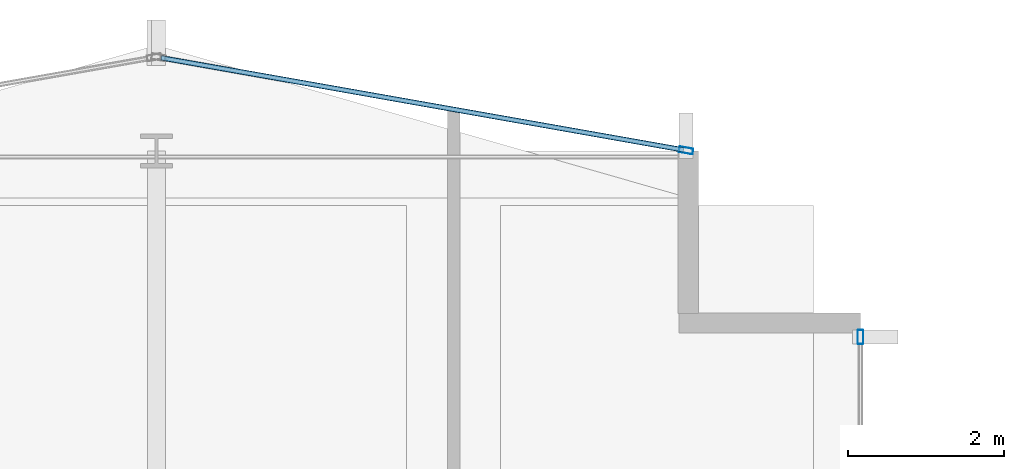
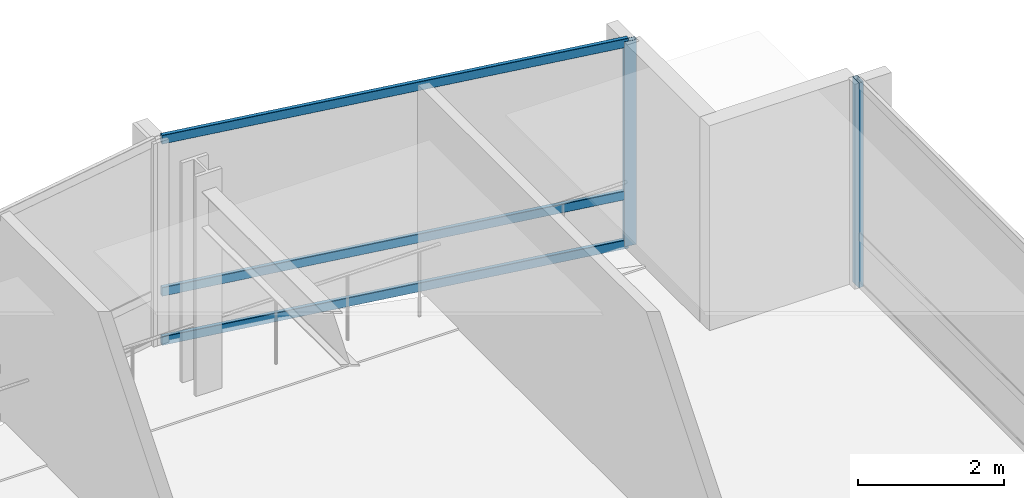
# One storey, part 20 of 29: 5 members, 2 elements without a shape of their own.
"""IFC4 building model written with IfcOpenShell, lengths in metres."""

from ifc_helpers import new_model, si_unit, direction, frame, origin, origin_2d, place, context, subcontext, project, spatial, hollow_rectangle, extrude, material, layer, layer_set, material_profile, profile_set, type_object, element, aggregate, save


model = new_model("IFC4")

# Units and contexts
model_context = context("Model", 3, precision=1e-05, world=origin(), true_north=direction((0.0, 1.0)))
body_context = subcontext(model_context, "Body", "Model", "MODEL_VIEW")
ifc_project = project(units=[si_unit("LENGTHUNIT", "METRE"), si_unit("AREAUNIT", "SQUARE_METRE"), si_unit("VOLUMEUNIT", "CUBIC_METRE"), si_unit("PLANEANGLEUNIT", "RADIAN"), si_unit("MASSUNIT", "GRAM", prefix="KILO")], contexts=[model_context])

# Site, building, storey
site_placement = place(None, origin())
site = spatial("IfcSite", under=ifc_project, at=site_placement, CompositionType="ELEMENT")
building_placement = place(site_placement, origin())
building = spatial("IfcBuilding", under=site, at=building_placement, Name="Solvaryn Broadcast Tower", CompositionType="ELEMENT")
storey_placement = place(building_placement, frame((0.0, 0.0, 161.800048828125)))
storey = spatial("IfcBuildingStorey", under=building, at=storey_placement, Name="L40", CompositionType="ELEMENT", Elevation=161.800048828125)

# Curtain wall, member
ifc_material_1 = material(Name="Aluminium and Terracotta Unitised Curtain Wall", Category="masonry")
ifc_layer = layer(ifc_material_1, 0.199951171875)
ifc_layer_set = layer_set([ifc_layer], Name="CW-SYS2-LOWMID")
curtain_wall_type = type_object("IfcCurtainWallType", Name="CW-SYS2-LOWMID", PredefinedType="NOTDEFINED", material=ifc_layer_set)
curtain_wall_1_placement = place(storey_placement, origin())
curtain_wall_1 = element("IfcCurtainWall", 1, at=curtain_wall_1_placement, inside=storey, type_object=curtain_wall_type, Name="L40 Curtain Wall IV", PredefinedType="NOTDEFINED")
ifc_material_2 = material(Name="Anodised Aluminium 6063-T6", Category="aluminium")
ifc_material_profile_1 = material_profile(ifc_material_2, hollow_rectangle(XDim=0.074951171875, YDim=0.179931640625, WallThickness=0.00390625, InnerFilletRadius=0.00390625, OuterFilletRadius=0.008056640625, at=origin_2d()))
ifc_profile_set_1 = profile_set([ifc_material_profile_1], Name="Anodised Aluminium 6063-T6")
member_type_1 = type_object("IfcMemberType", Name="CW-MUL-180", PredefinedType="MULLION", material=ifc_profile_set_1)
member_1_placement = place(storey_placement, frame((27.0, 51.6201171875, 0.0), z_axis=(0.0, 0.0, 1.0), x_axis=(1.0, 0.0, 0.0)))
member_1 = element("IfcMember", 2, at=member_1_placement, type_object=member_type_1, Name="CWS2 mullion 1", PredefinedType="MULLION", context=body_context, shape_type="SweptSolid", body=[
    extrude(hollow_rectangle(XDim=0.074951171875, YDim=0.179931640625, WallThickness=0.00390625, InnerFilletRadius=0.00390625, OuterFilletRadius=0.008056640625, at=origin_2d()), origin(), (0.0, 0.0, 1.0), 3.419921875),
])
aggregate(curtain_wall_1, [member_1])

# Curtain wall, members
curtain_wall_2_placement = place(storey_placement, origin())
curtain_wall_2 = element("IfcCurtainWall", 3, at=curtain_wall_2_placement, inside=storey, type_object=curtain_wall_type, Name="L40 Curtain Wall NT1", PredefinedType="NOTDEFINED")
member_2_placement = place(storey_placement, frame((24.7705078125, 54.005126953125, 0.0), z_axis=(0.0, 0.0, 1.0), x_axis=(-0.173785333901, -0.984783558819, 0.0)))
member_2 = element("IfcMember", 4, at=member_2_placement, type_object=member_type_1, Name="CWS2 mullion 1", PredefinedType="MULLION", context=body_context, shape_type="SweptSolid", body=[
    extrude(hollow_rectangle(XDim=0.074951171875, YDim=0.179931640625, WallThickness=0.00390625, InnerFilletRadius=0.00390625, OuterFilletRadius=0.008056640625, at=origin_2d()), origin(), (0.0, 0.0, 1.0), 3.419921875),
])
ifc_material_3 = material(Name="Anodised Aluminium 6063-T6", Category="aluminium")
ifc_material_profile_2 = material_profile(ifc_material_3, hollow_rectangle(XDim=0.06494140625, YDim=0.14990234375, WallThickness=0.00390625, InnerFilletRadius=0.00390625, OuterFilletRadius=0.008056640625, at=origin_2d()))
ifc_profile_set_2 = profile_set([ifc_material_profile_2], Name="Anodised Aluminium 6063-T6")
member_type_2 = type_object("IfcMemberType", Name="CW-TRN-150", PredefinedType="USERDEFINED", material=ifc_profile_set_2)
member_3_placement = place(storey_placement, frame((24.740966796875, 54.010498046875, 0.030029296875), z_axis=(-0.984788629673, 0.173756596613, 0.0), x_axis=(-0.173756596613, -0.984788629673, 0.0)))
member_3 = element("IfcMember", 5, at=member_3_placement, type_object=member_type_2, Name="CWS2 transom 1.1", ObjectType="TRANSOM", PredefinedType="USERDEFINED", context=body_context, shape_type="SweptSolid", body=[
    extrude(hollow_rectangle(XDim=0.06494140625, YDim=0.14990234375, WallThickness=0.00390625, InnerFilletRadius=0.00390625, OuterFilletRadius=0.008056640625, at=origin_2d()), origin(), (0.0, 0.0, 1.0), 6.78515625),
])
member_4_placement = place(storey_placement, frame((24.740966796875, 54.010498046875, 0.849853515625), z_axis=(-0.984788629673, 0.173756596613, 0.0), x_axis=(-0.173756596613, -0.984788629673, 0.0)))
member_4 = element("IfcMember", 6, at=member_4_placement, type_object=member_type_2, Name="CWS2 transom 1.2", ObjectType="TRANSOM", PredefinedType="USERDEFINED", context=body_context, shape_type="SweptSolid", body=[
    extrude(hollow_rectangle(XDim=0.06494140625, YDim=0.14990234375, WallThickness=0.00390625, InnerFilletRadius=0.00390625, OuterFilletRadius=0.008056640625, at=origin_2d()), origin(), (0.0, 0.0, 1.0), 6.78515625),
])
member_5_placement = place(storey_placement, frame((24.740966796875, 54.010498046875, 3.389892578125), z_axis=(-0.984788629673, 0.173756596613, 0.0), x_axis=(-0.173756596613, -0.984788629673, 0.0)))
member_5 = element("IfcMember", 7, at=member_5_placement, type_object=member_type_2, Name="CWS2 transom 1.3", ObjectType="TRANSOM", PredefinedType="USERDEFINED", context=body_context, shape_type="SweptSolid", body=[
    extrude(hollow_rectangle(XDim=0.06494140625, YDim=0.14990234375, WallThickness=0.00390625, InnerFilletRadius=0.00390625, OuterFilletRadius=0.008056640625, at=origin_2d()), origin(), (0.0, 0.0, 1.0), 6.78515625),
])
aggregate(curtain_wall_2, [member_2, member_3, member_4, member_5])

save(model, "model.ifc")
